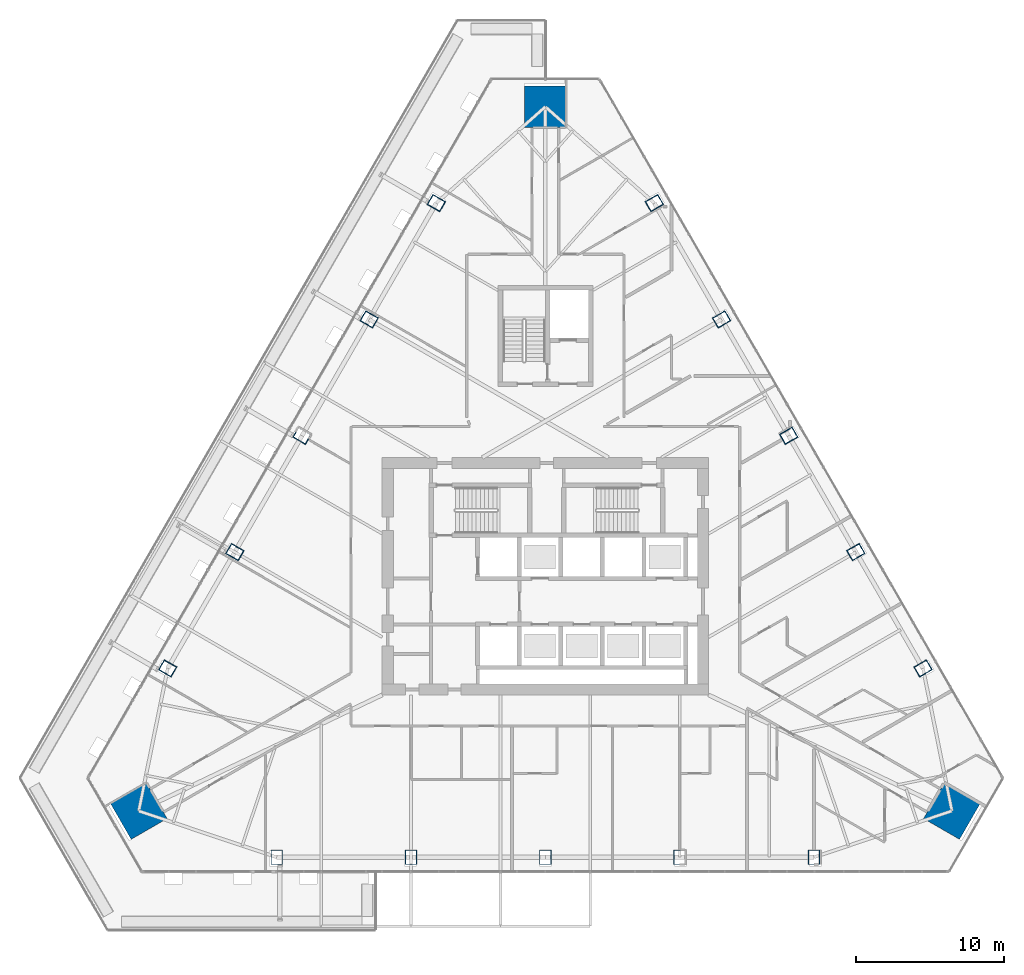
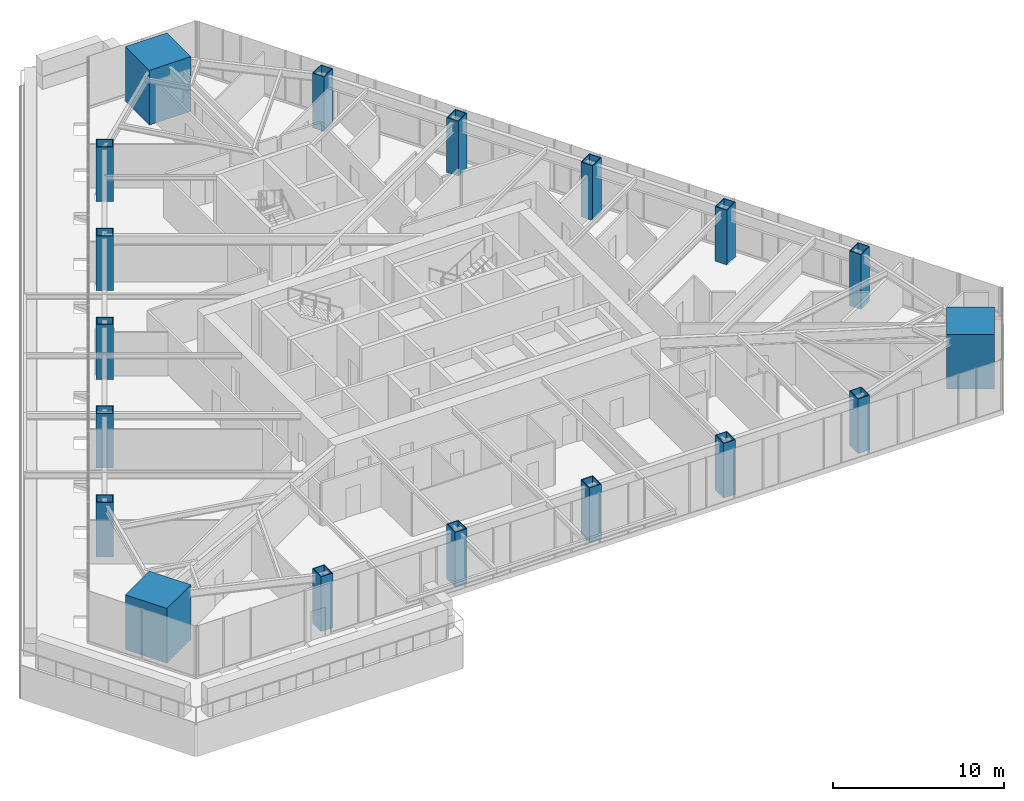
# One storey, part 1 of 35: 18 columns.
"""IFC4 building model written with IfcOpenShell, lengths in metres."""

from ifc_helpers import new_model, si_unit, direction, frame, origin, origin_2d, place, context, subcontext, project, spatial, rectangle, hollow_rectangle, extrude, material, material_profile, profile_set, type_object, element, save


model = new_model("IFC4")

# Units and contexts
model_context = context("Model", 3, precision=1e-05, world=origin(), true_north=direction((0.0, 1.0)))
body_context = subcontext(model_context, "Body", "Model", "MODEL_VIEW")
ifc_project = project(units=[si_unit("LENGTHUNIT", "METRE"), si_unit("AREAUNIT", "SQUARE_METRE"), si_unit("VOLUMEUNIT", "CUBIC_METRE"), si_unit("PLANEANGLEUNIT", "RADIAN"), si_unit("MASSUNIT", "GRAM", prefix="KILO")], contexts=[model_context])

# Site, building, storey
site_placement = place(None, origin())
site = spatial("IfcSite", under=ifc_project, at=site_placement, CompositionType="ELEMENT")
building_placement = place(site_placement, origin())
building = spatial("IfcBuilding", under=site, at=building_placement, Name="Firuza Gate Tower and Library", CompositionType="ELEMENT")
storey_placement = place(building_placement, frame((0.0, 0.0, 159.699951171875)))
storey = spatial("IfcBuildingStorey", under=building, at=storey_placement, Name="L36", CompositionType="ELEMENT", Elevation=159.699951171875)

# Columns
ifc_material_1 = material(Name="Steel S355", Category="steel")
ifc_material_profile_1 = material_profile(ifc_material_1, hollow_rectangle(XDim=0.800048828125, YDim=1.0, WallThickness=0.050048828125, at=origin_2d()))
ifc_profile_set_1 = profile_set([ifc_material_profile_1], Name="Steel S355")
column_type_1 = type_object("IfcColumnType", Name="BU1000x800x50 Composite box column", PredefinedType="COLUMN", material=ifc_profile_set_1)
for number, where, z_axis, x_axis, name in (
    (1, (56.89208984375, 56.06103515625, -0.000244140625), (0.0, 0.0, 1.0), (1.0, 0.0, 0.0), "Column S1 L36"),
    (2, (65.946044921875, 56.06103515625, -0.000244140625), (0.0, 0.0, 1.0), (1.0, 0.0, 0.0), "Column S2 L36"),
    (3, (75.0, 56.06103515625, -0.000244140625), (0.0, 0.0, 1.0), (1.0, 0.0, 0.0), "Column S3 L36"),
    (4, (84.053955078125, 56.06103515625, -0.000244140625), (0.0, 0.0, 1.0), (1.0, 0.0, 0.0), "Column S4 L36"),
    (5, (93.10791015625, 56.06103515625, -0.000244140625), (0.0, 0.0, 1.0), (1.0, 0.0, 0.0), "Column S5 L36"),
    (6, (100.45556640625, 68.78759765625, -0.000244140625), (0.0, 0.0, 1.0), (-0.5, 0.866025403784, 0.0), "Column E1 L36"),
    (7, (95.928466796875, 76.62841796875, -0.000244140625), (0.0, 0.0, 1.0), (-0.5, 0.866025403784, 0.0), "Column E2 L36"),
    (8, (91.401611328125, 84.469482421875, -0.000244140625), (0.0, 0.0, 1.0), (-0.5, 0.866025403784, 0.0), "Column E3 L36"),
    (9, (86.87451171875, 92.310302734375, -0.000244140625), (0.0, 0.0, 1.0), (-0.5, 0.866025403784, 0.0), "Column E4 L36"),
    (10, (82.34765625, 100.1513671875, -0.000244140625), (0.0, 0.0, 1.0), (-0.5, 0.866025403784, 0.0), "Column E5 L36"),
    (11, (67.65234375, 100.1513671875, -0.000244140625), (0.0, 0.0, 1.0), (-0.5, -0.866025403784, 0.0), "Column W1 L36"),
    (12, (63.12548828125, 92.310302734375, -0.000244140625), (0.0, 0.0, 1.0), (-0.5, -0.866025403784, 0.0), "Column W2 L36"),
    (13, (58.598388671875, 84.469482421875, -0.000244140625), (0.0, 0.0, 1.0), (-0.5, -0.866025403784, 0.0), "Column W3 L36"),
    (14, (54.071533203125, 76.62841796875, -0.000244140625), (0.0, 0.0, 1.0), (-0.5, -0.866025403784, 0.0), "Column W4 L36"),
    (15, (49.54443359375, 68.78759765625, -0.000244140625), (0.0, 0.0, 1.0), (-0.5, -0.866025403784, 0.0), "Column W5 L36"),
):
    element("IfcColumn", number, at=place(storey_placement, frame(where, z_axis=z_axis, x_axis=x_axis)), inside=storey, type_object=column_type_1, Name=name, PredefinedType="COLUMN", context=body_context, shape_type="SweptSolid", body=[
        extrude(hollow_rectangle(XDim=0.800048828125, YDim=1.0, WallThickness=0.050048828125, at=origin_2d()), origin(), (0.0, 0.0, 1.0), 3.900390625),
    ])
ifc_material_2 = material(Name="Concrete C80/95", Category="concrete")
ifc_material_profile_2 = material_profile(ifc_material_2, rectangle(XDim=2.800048828125, YDim=2.800048828125, at=origin_2d()))
ifc_profile_set_2 = profile_set([ifc_material_profile_2], Name="Concrete C80/95")
column_type_2 = type_object("IfcColumnType", Name="Mega column 2800x2800 C80/95", PredefinedType="COLUMN", material=ifc_profile_set_2)
for number, where, z_axis, x_axis, name in (
    (16, (102.403076171875, 59.1787109375, 0.0), (0.0, 0.0, 1.0), (0.5, 0.866025403784, 0.0), "Mega column SE L36"),
    (17, (75.0, 106.642333984375, 0.0), (0.0, 0.0, 1.0), (-1.0, 0.0, 0.0), "Mega column N L36"),
    (18, (47.596923828125, 59.1787109375, 0.0), (0.0, 0.0, 1.0), (0.5, -0.866025403784, 0.0), "Mega column SW L36"),
):
    element("IfcColumn", number, at=place(storey_placement, frame(where, z_axis=z_axis, x_axis=x_axis)), inside=storey, type_object=column_type_2, Name=name, PredefinedType="COLUMN", context=body_context, shape_type="SweptSolid", body=[
        extrude(rectangle(XDim=2.800048828125, YDim=2.800048828125, at=origin_2d()), origin(), (0.0, 0.0, 1.0), 3.900146484375),
    ])

save(model, "model.ifc")
